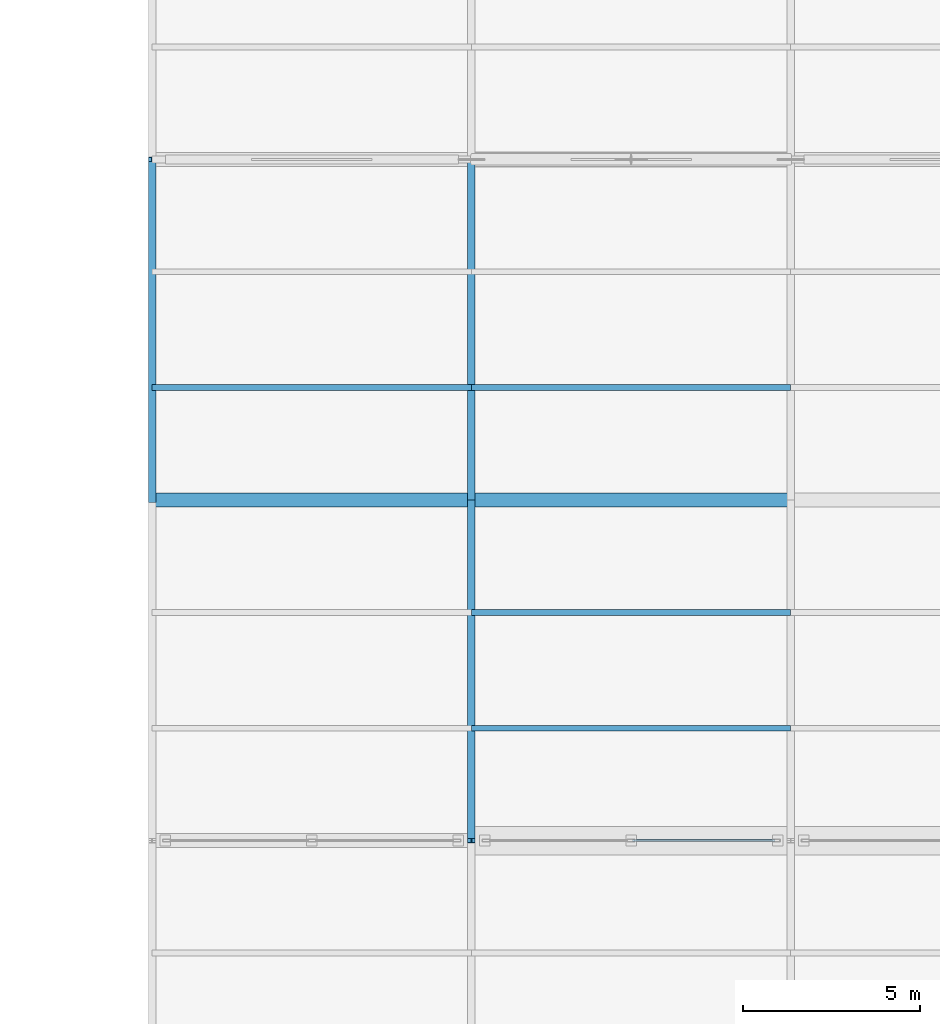
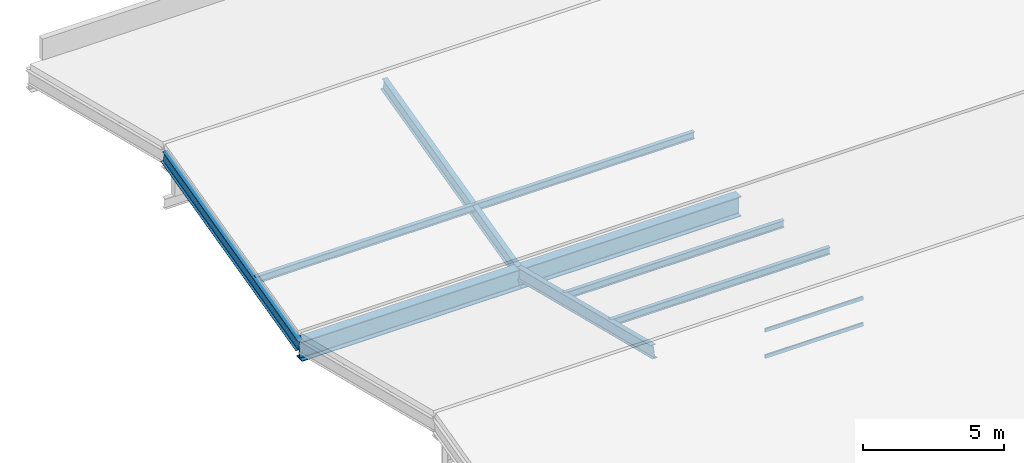
# One storey, part 9 of 36: 9 members, 2 beams, 1 element without a shape of its own.
"""IFC4 building model written with IfcOpenShell, lengths in metres."""

import ifcopenshell
import ifcopenshell.guid

model = None  # the IFC model being written
_history = None  # IfcOwnerHistory: only IFC2X3 demands one
_inside = {}  # id of a spatial element -> (the spatial element, [elements in it])
_under = {}  # id of a project, library or spatial element -> (it, [spatial elements below it])
_declared = {}  # id of a project -> (the project, [libraries it declares])
_typed = {}  # id of a type object -> (the type object, [elements of that type])
_made_of = {}  # id of a material, layer set ... -> (it, [elements and type objects made of it])


def new_model(schema):
    """Start an empty IFC model of exactly this schema.

    Asked for "IFC4X3", IfcOpenShell would pick the latest addendum, in which some entities
    have other attributes; the version numbers below select the first issue.
    IFC2X3 requires an IfcOwnerHistory on every rooted entity: one is made here for all.
    """
    global model, _history
    if schema == "IFC4X3":
        model = ifcopenshell.file(schema_version=(4, 3, 0, 0))
    else:
        model = ifcopenshell.file(schema=schema)
    _inside.clear()
    _under.clear()
    _declared.clear()
    _typed.clear()
    _made_of.clear()
    _history = None
    if model.schema == "IFC2X3":
        org = make("IfcOrganization", Name="unknown")
        user = make(
            "IfcPersonAndOrganization",
            ThePerson=make("IfcPerson", FamilyName="unknown"),
            TheOrganization=org,
        )
        app = make(
            "IfcApplication",
            ApplicationDeveloper=org,
            Version="unknown",
            ApplicationFullName="unknown",
            ApplicationIdentifier="unknown",
        )
        _history = make(
            "IfcOwnerHistory",
            OwningUser=user,
            OwningApplication=app,
            ChangeAction="ADDED",
            CreationDate=0,
        )
    return model


def make(cls, **values):
    """One entity of the class cls with the attributes given. An attribute that is None is left unset."""
    return model.create_entity(
        cls, **{name: value for name, value in values.items() if value is not None}
    )


def rooted(cls, **values):
    """An entity with a GlobalId (a new one), such as an element, a storey or a relation."""
    return make(cls, GlobalId=ifcopenshell.guid.new(), OwnerHistory=_history, **values)


def si_unit(unit_type, name, prefix=None):
    """IfcSIUnit, for example si_unit("LENGTHUNIT", "METRE", prefix="MILLI")."""
    return make("IfcSIUnit", UnitType=unit_type, Prefix=prefix, Name=name)


def assignment(units):
    """IfcUnitAssignment: the units of a project."""
    return None if units is None else make("IfcUnitAssignment", Units=units)


def point(xyz):
    """IfcCartesianPoint."""
    return None if xyz is None else make("IfcCartesianPoint", Coordinates=xyz)


def direction(xyz):
    """IfcDirection."""
    return None if xyz is None else make("IfcDirection", DirectionRatios=xyz)


def frame(location, z_axis=None, x_axis=None):
    """IfcAxis2Placement3D, a coordinate frame: its origin and axes. An axis left out is left unset."""
    return make(
        "IfcAxis2Placement3D",
        Location=point(location),
        Axis=direction(z_axis),
        RefDirection=direction(x_axis),
    )


def frame_2d(location, x_axis=None):
    """IfcAxis2Placement2D, a coordinate frame in the plane: its origin and x axis."""
    return make(
        "IfcAxis2Placement2D", Location=point(location), RefDirection=direction(x_axis)
    )


def origin():
    """The frame at (0, 0, 0) with its axes left unset."""
    return frame((0.0, 0.0, 0.0))


def origin_2d():
    """The frame at (0, 0) in the plane with its x axis left unset."""
    return frame_2d((0.0, 0.0))


def place(relative_to, where):
    """IfcLocalPlacement: puts the frame where relative to a parent placement (None: the world)."""
    return make(
        "IfcLocalPlacement", PlacementRelTo=relative_to, RelativePlacement=where
    )


def context(
    kind, dimensions, precision=None, world=None, true_north=None, identifier=None
):
    """IfcGeometricRepresentationContext, for example the 3D "Model" context."""
    return make(
        "IfcGeometricRepresentationContext",
        ContextIdentifier=identifier,
        ContextType=kind,
        CoordinateSpaceDimension=dimensions,
        Precision=precision,
        WorldCoordinateSystem=world,
        TrueNorth=true_north,
    )


def subcontext(parent, identifier, kind, view, scale=None):
    """IfcGeometricRepresentationSubContext, for example "Body" below "Model"."""
    return make(
        "IfcGeometricRepresentationSubContext",
        ContextIdentifier=identifier,
        ContextType=kind,
        ParentContext=parent,
        TargetScale=scale,
        TargetView=view,
    )


def project(units=None, contexts=None):
    """IfcProject with its units and contexts."""
    return rooted(
        "IfcProject",
        Name="project",
        RepresentationContexts=contexts,
        UnitsInContext=assignment(units),
    )


def spatial(cls, under=None, at=None, **own):
    """A site, building, storey or space (cls), placed at a placement, below another one or the project."""
    s = rooted(cls, ObjectPlacement=at, **own)
    if under is not None:
        _under.setdefault(under.id(), (under, []))[1].append(s)
    return s


def profile(cls, at=None, kind="AREA", **sizes):
    """A parametric profile (cls). Its sizes go by their IFC names, for example OverallWidth=200.0."""
    return make(cls, ProfileType=kind, Position=at, **sizes)


def hollow_rectangle(**sizes):
    """IfcRectangleHollowProfileDef."""
    return profile("IfcRectangleHollowProfileDef", **sizes)


def i_section(**sizes):
    """IfcIShapeProfileDef."""
    return profile("IfcIShapeProfileDef", **sizes)


def extrude(swept, where, along, depth):
    """IfcExtrudedAreaSolid: the profile swept, set in the frame where, extruded along a direction by depth."""
    return make(
        "IfcExtrudedAreaSolid",
        SweptArea=swept,
        Position=where,
        ExtrudedDirection=direction(along),
        Depth=depth,
    )


def shape(context_of_items, identifier, shape_type, items):
    """IfcShapeRepresentation: the items that make up one representation, for example the "Body"."""
    return make(
        "IfcShapeRepresentation",
        ContextOfItems=context_of_items,
        RepresentationIdentifier=identifier,
        RepresentationType=shape_type,
        Items=items,
    )


def material(Name=None, Category=None):
    """IfcMaterial."""
    return make("IfcMaterial", Name=Name, Category=Category)


def layer(
    of_material, thickness, ventilated=None, Name=None, Category=None, Priority=None
):
    """IfcMaterialLayer: one layer of a wall or slab, of a material (None: an air gap)."""
    return make(
        "IfcMaterialLayer",
        Material=of_material,
        LayerThickness=thickness,
        IsVentilated=ventilated,
        Name=Name,
        Category=Category,
        Priority=Priority,
    )


def layer_set(layers, Name=None):
    """IfcMaterialLayerSet."""
    return make("IfcMaterialLayerSet", MaterialLayers=layers, LayerSetName=Name)


def material_profile(
    of_material, cross_section, Name=None, Category=None, Priority=None
):
    """IfcMaterialProfile: a cross section and its material."""
    return make(
        "IfcMaterialProfile",
        Name=Name,
        Material=of_material,
        Profile=cross_section,
        Priority=Priority,
        Category=Category,
    )


def profile_set(profiles, Name=None, composite=None):
    """IfcMaterialProfileSet."""
    return make(
        "IfcMaterialProfileSet",
        Name=Name,
        MaterialProfiles=profiles,
        CompositeProfile=composite,
    )


def made_of(thing, what):
    """Note that an element or type object is made of a material, layer set ...; save() writes the relation."""
    if what is not None:
        _made_of.setdefault(what.id(), (what, []))[1].append(thing)
    return thing


def type_object(cls, material=None, **own):
    """A type object (cls), such as IfcWallType, which elements share."""
    return made_of(rooted(cls, **own), material)


def element(
    cls,
    number,
    at=None,
    inside=None,
    cuts=None,
    type_object=None,
    material=None,
    context=None,
    identifier="Body",
    shape_type=None,
    held_by="IfcProductDefinitionShape",
    body=None,
    shapes=None,
    **own,
):
    """One element of the class cls, such as IfcWall. Its Tag is "e" and its number.

    at: its placement. inside: the storey or other place that contains it. cuts: it is an
    opening in that element (IfcRelVoidsElement). A single representation is given by context,
    identifier, shape_type and body (its items); several are given by shapes. held_by: the class
    of the entity that holds the representations. save() writes the other relations.
    """
    e = rooted(cls, Tag="e%d" % number, ObjectPlacement=at, **own)
    if body is not None:
        shapes = [shape(context, identifier, shape_type, body)]
    if shapes is not None:
        e.Representation = make(held_by, Representations=shapes)
    if inside is not None:
        _inside.setdefault(inside.id(), (inside, []))[1].append(e)
    if cuts is not None:
        rooted(
            "IfcRelVoidsElement", RelatingBuildingElement=cuts, RelatedOpeningElement=e
        )
    if type_object is not None:
        _typed.setdefault(type_object.id(), (type_object, []))[1].append(e)
    return made_of(e, material)


def aggregate(whole, parts):
    """IfcRelAggregates: a whole, such as a stair, and the parts it consists of."""
    return rooted("IfcRelAggregates", RelatingObject=whole, RelatedObjects=parts)


def save(model, path):
    """Write the relations noted so far, then the file.

    IfcRelAggregates (storeys below a building ...), IfcRelContainedInSpatialStructure (elements
    in a storey), IfcRelDefinesByType, IfcRelAssociatesMaterial and IfcRelDeclares: one each for
    every whole, place, type object, material and project.
    """
    for whole, parts in _under.values():
        aggregate(whole, parts)
    for where, things in _inside.values():
        rooted(
            "IfcRelContainedInSpatialStructure",
            RelatedElements=things,
            RelatingStructure=where,
        )
    for kind, things in _typed.values():
        rooted("IfcRelDefinesByType", RelatedObjects=things, RelatingType=kind)
    for what, things in _made_of.values():
        rooted("IfcRelAssociatesMaterial", RelatedObjects=things, RelatingMaterial=what)
    for by, libraries in _declared.values():
        rooted("IfcRelDeclares", RelatingContext=by, RelatedDefinitions=libraries)
    model.write(path)


model = new_model("IFC4")

# Units and contexts
model_context = context("Model", 3, precision=1e-05, world=origin(), true_north=direction((0.0, 1.0)))
body_context = subcontext(model_context, "Body", "Model", "MODEL_VIEW")
ifc_project = project(units=[si_unit("LENGTHUNIT", "METRE"), si_unit("AREAUNIT", "SQUARE_METRE"), si_unit("VOLUMEUNIT", "CUBIC_METRE"), si_unit("PLANEANGLEUNIT", "RADIAN"), si_unit("MASSUNIT", "GRAM", prefix="KILO")], contexts=[model_context])

# Site, building, storey
site_placement = place(None, origin())
site = spatial("IfcSite", under=ifc_project, at=site_placement, CompositionType="ELEMENT")
building_placement = place(site_placement, origin())
building = spatial("IfcBuilding", under=site, at=building_placement, Name="Qorvath Tower", CompositionType="ELEMENT")
storey_placement = place(building_placement, frame((0.0, 0.0, 27.0)))
storey = spatial("IfcBuildingStorey", under=building, at=storey_placement, Name="L05", CompositionType="ELEMENT", Elevation=27.0)

# Beams
ifc_material_1 = material(Name="Steel ASTM A992 Grade 50", Category="steel")
ifc_material_profile_1 = material_profile(ifc_material_1, i_section(OverallWidth=0.39892578125, OverallDepth=0.85498046875, WebThickness=0.018310546875, FlangeThickness=0.029296875, FilletRadius=0.02001953125, at=origin_2d()), Name="W33x201")
ifc_profile_set_1 = profile_set([ifc_material_profile_1], Name="Steel ASTM A992 Grade 50")
beam_type = type_object("IfcBeamType", Name="BM-FG2", PredefinedType="BEAM", material=ifc_profile_set_1)
for number, where, z_axis, x_axis, name in (
    (1, (32.39990234375, 19.199951171875, -0.7275390625), (1.0, 0.0, 0.0), (0.0, 1.0, 0.0), "Library Roof Fold Line Girder 7-1"),
    (2, (41.39990234375, 19.199951171875, -0.7275390625), (1.0, 0.0, 0.0), (0.0, 1.0, 0.0), "Library Roof Fold Line Girder 7-2"),
):
    element("IfcBeam", number, at=place(storey_placement, frame(where, z_axis=z_axis, x_axis=x_axis)), inside=storey, type_object=beam_type, Name=name, PredefinedType="BEAM", context=body_context, shape_type="SweptSolid", body=[
        extrude(i_section(OverallWidth=0.39892578125, OverallDepth=0.85498046875, WebThickness=0.018310546875, FlangeThickness=0.029296875, FilletRadius=0.02001953125, at=origin_2d()), origin(), (0.0, 0.0, 1.0), 9.0),
    ])

# Curtain wall, members
ifc_material_2 = material(Name="Anodised aluminium and triple low-E glass", Category="aluminium")
ifc_layer = layer(ifc_material_2, 0.179931640625)
ifc_layer_set = layer_set([ifc_layer], Name="CW-SYS-7")
curtain_wall_type = type_object("IfcCurtainWallType", Name="CW-SYS-7", PredefinedType="NOTDEFINED", material=ifc_layer_set)
curtain_wall_placement = place(storey_placement, origin())
curtain_wall = element("IfcCurtainWall", 3, at=curtain_wall_placement, inside=storey, type_object=curtain_wall_type, Name="Curtain Wall CW-7 CW-LIB-SKY-3-2", PredefinedType="NOTDEFINED")
ifc_material_3 = material(Name="Anodised aluminium 6063-T6", Category="aluminium")
ifc_material_profile_2 = material_profile(ifc_material_3, hollow_rectangle(XDim=0.06494140625, YDim=0.159912109375, WallThickness=0.00341796875, InnerFilletRadius=0.00341796875, OuterFilletRadius=0.007080078125, at=origin_2d()), Name="CWT 160x65")
ifc_profile_set_2 = profile_set([ifc_material_profile_2], Name="Anodised aluminium 6063-T6")
member_type_1 = type_object("IfcMemberType", Name="CWT-160", PredefinedType="USERDEFINED", material=ifc_profile_set_2)
member_1_placement = place(storey_placement, frame((45.93994140625, 9.60009765625, 0.032470703125), z_axis=(1.0, 0.0, 0.0), x_axis=(0.0, 1.0, 0.0)))
member_1 = element("IfcMember", 4, at=member_1_placement, type_object=member_type_1, Name="CW-7 transom 2.1", ObjectType="TRANSOM", PredefinedType="USERDEFINED", context=body_context, shape_type="SweptSolid", body=[
    extrude(hollow_rectangle(XDim=0.06494140625, YDim=0.159912109375, WallThickness=0.00341796875, InnerFilletRadius=0.00341796875, OuterFilletRadius=0.007080078125, at=origin_2d()), origin(), (0.0, 0.0, 1.0), 4.010009765625),
])
member_2_placement = place(storey_placement, frame((45.93994140625, 9.60009765625, 1.16748046875), z_axis=(1.0, 0.0, 0.0), x_axis=(0.0, 1.0, 0.0)))
member_2 = element("IfcMember", 5, at=member_2_placement, type_object=member_type_1, Name="CW-7 transom 2.2", ObjectType="TRANSOM", PredefinedType="USERDEFINED", context=body_context, shape_type="SweptSolid", body=[
    extrude(hollow_rectangle(XDim=0.06494140625, YDim=0.159912109375, WallThickness=0.00341796875, InnerFilletRadius=0.00341796875, OuterFilletRadius=0.007080078125, at=origin_2d()), origin(), (0.0, 0.0, 1.0), 4.010009765625),
])
aggregate(curtain_wall, [member_1, member_2])

# Members
ifc_material_4 = material(Name="Steel ASTM A992 Grade 50", Category="steel")
ifc_material_profile_3 = material_profile(ifc_material_4, i_section(OverallWidth=0.1650390625, OverallDepth=0.31005859375, WebThickness=0.005859375, FlangeThickness=0.009765625, FilletRadius=0.010009765625, at=origin_2d()), Name="W12x26")
ifc_profile_set_3 = profile_set([ifc_material_profile_3], Name="Steel ASTM A992 Grade 50")
member_type_2 = type_object("IfcMemberType", Name="MEM-PR1", PredefinedType="PURLIN", material=ifc_profile_set_3)
for number, where, z_axis, x_axis, name in (
    (6, (41.39990234375, 12.76806640625, 1.1708984375), (1.0, 0.0, 0.0), (0.0, 1.0, 0.0), "Library Folded Roof Purlin F6-P1-2"),
    (7, (41.39990234375, 16.031982421875, 0.357177734375), (1.0, 0.0, 0.0), (0.0, 1.0, 0.0), "Library Folded Roof Purlin F6-P2-2"),
    (8, (32.39990234375, 22.367919921875, 0.357177734375), (1.0, 0.0, 0.0), (0.0, 1.0, 0.0), "Library Folded Roof Purlin F7-P1-1"),
    (9, (41.39990234375, 22.367919921875, 0.357177734375), (1.0, 0.0, 0.0), (0.0, 1.0, 0.0), "Library Folded Roof Purlin F7-P1-2"),
):
    element("IfcMember", number, at=place(storey_placement, frame(where, z_axis=z_axis, x_axis=x_axis)), inside=storey, type_object=member_type_2, Name=name, PredefinedType="PURLIN", context=body_context, shape_type="SweptSolid", body=[
        extrude(i_section(OverallWidth=0.1650390625, OverallDepth=0.31005859375, WebThickness=0.005859375, FlangeThickness=0.009765625, FilletRadius=0.010009765625, at=origin_2d()), origin(), (0.0, 0.0, 1.0), 9.0),
    ])
ifc_material_5 = material(Name="Steel ASTM A992 Grade 50", Category="steel")
ifc_material_profile_4 = material_profile(ifc_material_5, i_section(OverallWidth=0.208984375, OverallDepth=0.532958984375, WebThickness=0.01025390625, FlangeThickness=0.015625, FilletRadius=0.013916015625, at=origin_2d()), Name="W21x62")
ifc_profile_set_4 = profile_set([ifc_material_profile_4], Name="Steel ASTM A992 Grade 50")
member_type_3 = type_object("IfcMemberType", Name="MEM-RF1", PredefinedType="RAFTER", material=ifc_profile_set_4)
member_3_placement = place(storey_placement, frame((41.39990234375, 9.60009765625, 1.829345703125), z_axis=(0.0, 0.970294720706, -0.241925928684), x_axis=(-1.0, 0.0, 0.0)))
element("IfcMember", 10, at=member_3_placement, inside=storey, type_object=member_type_3, Name="Library Folded Roof Rafter F6-2", PredefinedType="RAFTER", context=body_context, shape_type="SweptSolid", body=[
    extrude(i_section(OverallWidth=0.208984375, OverallDepth=0.532958984375, WebThickness=0.01025390625, FlangeThickness=0.015625, FilletRadius=0.013916015625, at=origin_2d()), origin(), (0.0, 0.0, 1.0), 9.893798828125),
])
for number, where, z_axis, x_axis, name in (
    (11, (32.39990234375, 19.199951171875, -0.564208984375), (0.0, 0.970296164909, 0.24192013633), (-1.0, 0.0, 0.0), "Library Folded Roof Rafter F7-1"),
    (12, (41.39990234375, 19.199951171875, -0.564208984375), (0.0, 0.970296164909, 0.24192013633), (-1.0, 0.0, 0.0), "Library Folded Roof Rafter F7-2"),
):
    element("IfcMember", number, at=place(storey_placement, frame(where, z_axis=z_axis, x_axis=x_axis)), inside=storey, type_object=member_type_3, Name=name, PredefinedType="RAFTER", context=body_context, shape_type="SweptSolid", body=[
        extrude(i_section(OverallWidth=0.208984375, OverallDepth=0.532958984375, WebThickness=0.01025390625, FlangeThickness=0.015625, FilletRadius=0.013916015625, at=origin_2d()), origin(), (0.0, 0.0, 1.0), 9.89404296875),
    ])

save(model, "model.ifc")
